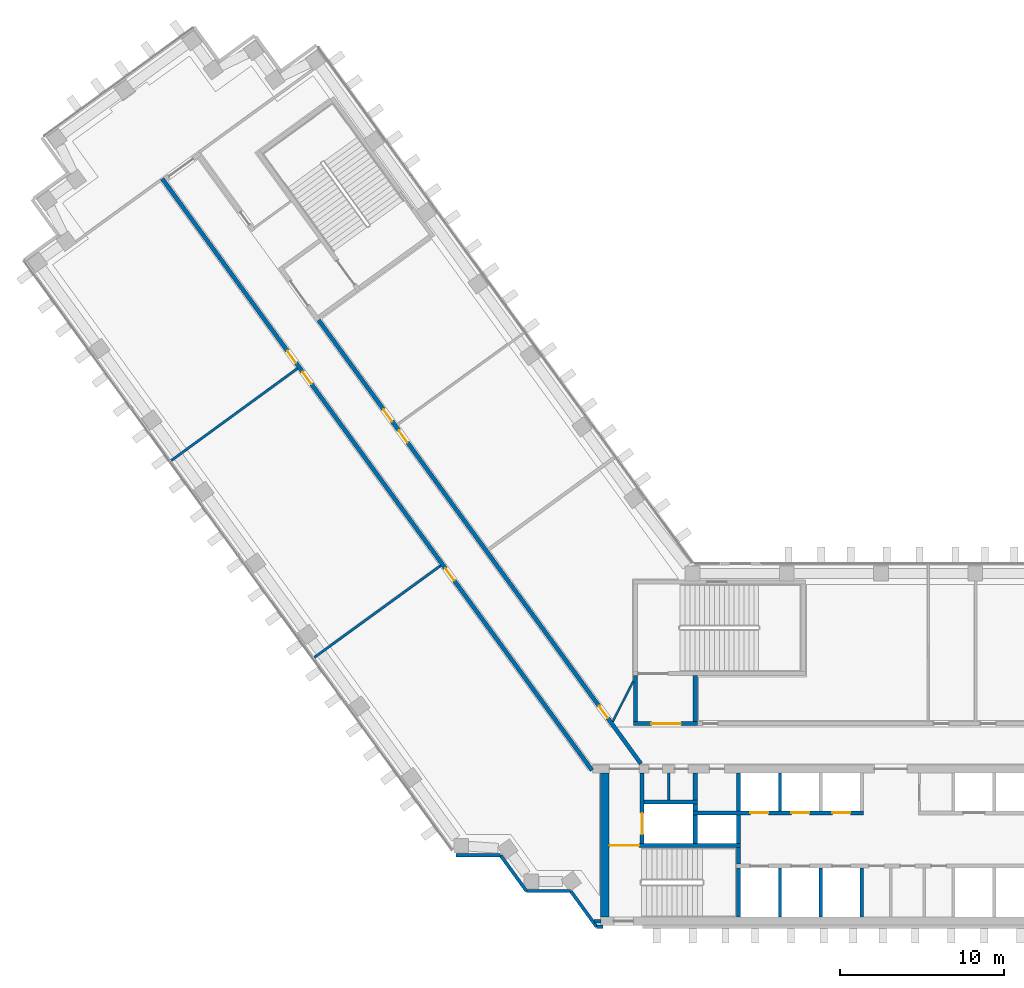
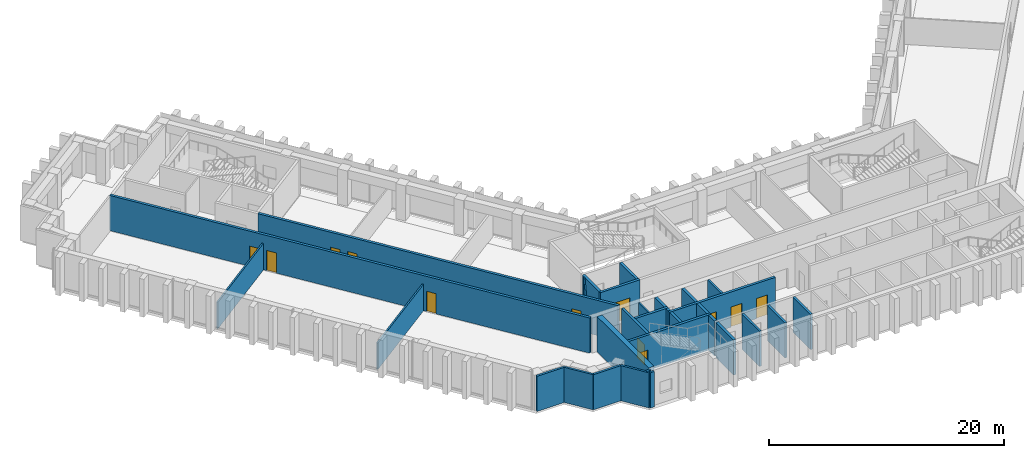
# One storey, part 7 of 15: 31 walls, 12 doors, 12 openings.
"""IFC4 building model written with IfcOpenShell, lengths in metres."""

from ifc_helpers import new_model, si_unit, direction, frame, frame_2d, origin, place, context, subcontext, project, spatial, rectangle, extrude, material, layer, layer_set, type_object, element, fill, save


model = new_model("IFC4")

# Units and contexts
model_context = context("Model", 3, precision=1e-05, world=origin(), true_north=direction((0.0, 1.0)))
body_context = subcontext(model_context, "Body", "Model", "MODEL_VIEW")
ifc_project = project(units=[si_unit("LENGTHUNIT", "METRE"), si_unit("AREAUNIT", "SQUARE_METRE"), si_unit("VOLUMEUNIT", "CUBIC_METRE"), si_unit("PLANEANGLEUNIT", "RADIAN"), si_unit("MASSUNIT", "GRAM", prefix="KILO")], contexts=[model_context])

# Site, building, storey
site_placement = place(None, origin())
site = spatial("IfcSite", under=ifc_project, at=site_placement, CompositionType="ELEMENT")
building_placement = place(site_placement, origin())
building = spatial("IfcBuilding", under=site, at=building_placement, Name="Quipu Civic Tower", CompositionType="ELEMENT")
storey_placement = place(building_placement, frame((0.0, 0.0, 31.0)))
storey = spatial("IfcBuildingStorey", under=building, at=storey_placement, Name="L06", CompositionType="ELEMENT", Elevation=31.0)

# Walls
ifc_material_1 = material(Name="Double gypsum plasterboard with mineral wool")
ifc_layer_1 = layer(ifc_material_1, 0.14990234375)
ifc_layer_set_1 = layer_set([ifc_layer_1], Name="Double gypsum plasterboard with mineral wool")
wall_type_1 = type_object("IfcWallType", Name="Acoustic partition 150 plasterboard", PredefinedType="PARTITIONING", material=ifc_layer_set_1)
wall_1_placement = place(storey_placement, frame((-46.234375, 17.394287109375, 0.0), z_axis=(0.0, 0.0, 1.0), x_axis=(0.807606997933, 0.589721067023, 0.0)))
element("IfcWall", 1, at=wall_1_placement, inside=storey, type_object=wall_type_1, Name="Partition P11", PredefinedType="PARTITIONING", context=body_context, shape_type="SweptSolid", body=[
    extrude(rectangle(XDim=9.550048828125, YDim=0.14990234375, at=frame_2d((4.77490234375, 0.0))), origin(), (0.0, 0.0, 1.0), 2.75),
])
wall_2_placement = place(storey_placement, frame((-29.769287109375, 10.979736328125, 0.0), z_axis=(0.0, 0.0, 1.0), x_axis=(-0.809048817734, -0.587741448702, 0.0)))
element("IfcWall", 2, at=wall_2_placement, inside=storey, type_object=wall_type_1, Name="Partition P12", PredefinedType="PARTITIONING", context=body_context, shape_type="SweptSolid", body=[
    extrude(rectangle(XDim=9.55029296875, YDim=0.14990234375, at=frame_2d((4.775146484375, 0.0))), origin(), (0.0, 0.0, 1.0), 2.75),
])
ifc_material_2 = material(Name="Concrete C70/85", Category="concrete")
ifc_layer_2 = layer(ifc_material_2, 0.25)
ifc_layer_set_2 = layer_set([ifc_layer_2], Name="Concrete C70/85")
wall_type_2 = type_object("IfcWallType", Name="Core wall 250", PredefinedType="SHEAR", material=ifc_layer_set_2)
wall_3_placement = place(storey_placement, frame((-11.574951171875, -10.5, 0.0), z_axis=(0.0, 0.0, 1.0), x_axis=(0.0, 1.0, 0.0)))
element("IfcWall", 3, at=wall_3_placement, inside=storey, type_object=wall_type_2, Name="Core wall", PredefinedType="SHEAR", context=body_context, shape_type="SweptSolid", body=[
    extrude(rectangle(XDim=3.0, YDim=0.25, at=frame_2d((1.5, 0.0))), origin(), (0.0, 0.0, 1.0), 3.64990234375),
])
wall_4_placement = place(storey_placement, frame((-11.574951171875, -7.25, 0.0), z_axis=(0.0, 0.0, 1.0), x_axis=(0.0, 1.0, 0.0)))
element("IfcWall", 4, at=wall_4_placement, inside=storey, type_object=wall_type_2, Name="Core wall", PredefinedType="SHEAR", context=body_context, shape_type="SweptSolid", body=[
    extrude(rectangle(XDim=1.0, YDim=0.25, at=frame_2d((0.5, 0.0))), origin(), (0.0, 0.0, 1.0), 3.64990234375),
])

# Wall, opening, door
wall_5_placement = place(storey_placement, frame((-11.449951171875, -6.125, 0.0), z_axis=(0.0, 0.0, 1.0), x_axis=(-1.0, 0.0, 0.0)))
wall_5 = element("IfcWall", 5, at=wall_5_placement, inside=storey, type_object=wall_type_2, Name="Core wall", PredefinedType="SHEAR", context=body_context, shape_type="SweptSolid", body=[
    extrude(rectangle(XDim=8.050048828125, YDim=0.25, at=frame_2d((4.02490234375, 0.0))), origin(), (0.0, 0.0, 1.0), 3.64990234375),
])
opening_1_placement = place(wall_5_placement, frame((6.199951171875, 0.0, 0.0)))
opening_1 = element("IfcOpeningElement", 6, at=opening_1_placement, cuts=wall_5, Name="Opening CD-04", PredefinedType="OPENING", context=body_context, shape_type="SweptSolid", body=[
    extrude(rectangle(XDim=1.800048828125, YDim=2.10009765625, at=frame_2d((0.89990234375, 1.050048828125))), frame((0.0, 0.135009765625, 0.0), z_axis=(0.0, -1.0, 0.0), x_axis=(1.0, 0.0, 0.0)), (0.0, 0.0, 1.0), 0.27001953125),
])
ifc_material_3 = material(Name="Fire rated steel door", Category="steel")
door_type_1 = type_object("IfcDoorType", Name="Fire door FD90 double 1800 x 2100", OperationType="NOTDEFINED", PredefinedType="DOOR", material=ifc_material_3)
door_1_placement = place(opening_1_placement, origin())
door_1 = element("IfcDoor", 7, at=door_1_placement, inside=storey, type_object=door_type_1, Name="Door", OperationType="DOUBLE_DOOR_SINGLE_SWING", OverallHeight=2.10009765625, OverallWidth=1.800048828125, PredefinedType="DOOR", context=body_context, shape_type="SweptSolid", body=[
    extrude(rectangle(XDim=1.800048828125, YDim=2.10009765625, at=frame_2d((0.89990234375, 1.050048828125))), frame((0.0, 0.02490234375, 0.0), z_axis=(0.0, -1.0, 0.0), x_axis=(1.0, 0.0, 0.0)), (0.0, 0.0, 1.0), 0.050048828125),
])
fill(opening_1, door_1)

wall_6_placement = place(storey_placement, frame((-17.47509765625, -6.0, 0.0), z_axis=(0.0, 0.0, 1.0), x_axis=(0.0, 1.0, 0.0)))
wall_6 = element("IfcWall", 8, at=wall_6_placement, inside=storey, type_object=wall_type_2, Name="Core wall", PredefinedType="SHEAR", context=body_context, shape_type="SweptSolid", body=[
    extrude(rectangle(XDim=4.300048828125, YDim=0.25, at=frame_2d((2.14990234375, 0.0))), origin(), (0.0, 0.0, 1.0), 3.64990234375),
])
opening_2_placement = place(wall_6_placement, frame((0.550048828125, 0.0, 0.0)))
opening_2 = element("IfcOpeningElement", 9, at=opening_2_placement, cuts=wall_6, Name="Opening LD-FF1", PredefinedType="OPENING", context=body_context, shape_type="SweptSolid", body=[
    extrude(rectangle(XDim=1.300048828125, YDim=2.10009765625, at=frame_2d((0.64990234375, 1.050048828125))), frame((0.0, 0.135009765625, 0.0), z_axis=(0.0, -1.0, 0.0), x_axis=(1.0, 0.0, 0.0)), (0.0, 0.0, 1.0), 0.27001953125),
])
ifc_material_4 = material(Name="Stainless steel", Category="steel")
door_type_2 = type_object("IfcDoorType", Name="Lift landing door 1300 x 2100", OperationType="DOUBLE_DOOR_SLIDING", PredefinedType="DOOR", material=ifc_material_4)
door_2_placement = place(opening_2_placement, origin())
door_2 = element("IfcDoor", 10, at=door_2_placement, inside=storey, type_object=door_type_2, Name="Landing door FF1", OperationType="DOUBLE_DOOR_SLIDING", OverallHeight=2.10009765625, OverallWidth=1.300048828125, PredefinedType="DOOR", context=body_context, shape_type="SweptSolid", body=[
    extrude(rectangle(XDim=1.300048828125, YDim=2.10009765625, at=frame_2d((0.64990234375, 1.050048828125))), frame((0.0, 0.02490234375, 0.0), z_axis=(0.0, -1.0, 0.0), x_axis=(1.0, 0.0, 0.0)), (0.0, 0.0, 1.0), 0.050048828125),
])
fill(opening_2, door_2)

# Walls
for number, where, z_axis, x_axis, name in (
    (11, (-14.22509765625, -6.0, 0.0), (0.0, 0.0, 1.0), (0.0, 1.0, 0.0), "Core wall"),
    (12, (-11.574951171875, -6.0, 0.0), (0.0, 0.0, 1.0), (0.0, 1.0, 0.0), "Core wall"),
):
    element("IfcWall", number, at=place(storey_placement, frame(where, z_axis=z_axis, x_axis=x_axis)), inside=storey, type_object=wall_type_2, Name=name, PredefinedType="SHEAR", context=body_context, shape_type="SweptSolid", body=[
        extrude(rectangle(XDim=1.75, YDim=0.25, at=frame_2d((0.875, 0.0))), origin(), (0.0, 0.0, 1.0), 3.64990234375),
    ])

# Wall, openings, doors
wall_7_placement = place(storey_placement, frame((-14.35009765625, -4.125, 0.0), z_axis=(0.0, 0.0, 1.0), x_axis=(1.0, 0.0, 0.0)))
wall_7 = element("IfcWall", 13, at=wall_7_placement, inside=storey, type_object=wall_type_2, Name="Core wall", PredefinedType="SHEAR", context=body_context, shape_type="SweptSolid", body=[
    extrude(rectangle(XDim=10.400146484375, YDim=0.25, at=frame_2d((5.2001953125, 0.0))), origin(), (0.0, 0.0, 1.0), 3.64990234375),
])
opening_3_placement = place(wall_7_placement, frame((3.5, 0.0, 0.0)))
opening_3 = element("IfcOpeningElement", 14, at=opening_3_placement, cuts=wall_7, Name="Opening LD-LL4", PredefinedType="OPENING", context=body_context, shape_type="SweptSolid", body=[
    extrude(rectangle(XDim=1.10009765625, YDim=2.10009765625, at=frame_2d((0.550048828125, 1.050048828125))), frame((0.0, 0.135009765625, 0.0), z_axis=(0.0, -1.0, 0.0), x_axis=(1.0, 0.0, 0.0)), (0.0, 0.0, 1.0), 0.27001953125),
])
opening_4_placement = place(wall_7_placement, frame((6.0, 0.0, 0.0)))
opening_4 = element("IfcOpeningElement", 15, at=opening_4_placement, cuts=wall_7, Name="Opening LD-LL5", PredefinedType="OPENING", context=body_context, shape_type="SweptSolid", body=[
    extrude(rectangle(XDim=1.10009765625, YDim=2.10009765625, at=frame_2d((0.550048828125, 1.050048828125))), frame((0.0, 0.135009765625, 0.0), z_axis=(0.0, -1.0, 0.0), x_axis=(1.0, 0.0, 0.0)), (0.0, 0.0, 1.0), 0.27001953125),
])
opening_5_placement = place(wall_7_placement, frame((8.5, 0.0, 0.0)))
opening_5 = element("IfcOpeningElement", 16, at=opening_5_placement, cuts=wall_7, Name="Opening LD-LL6", PredefinedType="OPENING", context=body_context, shape_type="SweptSolid", body=[
    extrude(rectangle(XDim=1.10009765625, YDim=2.10009765625, at=frame_2d((0.550048828125, 1.050048828125))), frame((0.0, 0.135009765625, 0.0), z_axis=(0.0, -1.0, 0.0), x_axis=(1.0, 0.0, 0.0)), (0.0, 0.0, 1.0), 0.27001953125),
])
ifc_material_5 = material(Name="Stainless steel", Category="steel")
door_type_3 = type_object("IfcDoorType", Name="Lift landing door 1100 x 2100", OperationType="DOUBLE_DOOR_SLIDING", PredefinedType="DOOR", material=ifc_material_5)
door_3_placement = place(opening_3_placement, origin())
door_3 = element("IfcDoor", 17, at=door_3_placement, inside=storey, type_object=door_type_3, Name="Landing door LL4", OperationType="DOUBLE_DOOR_SLIDING", OverallHeight=2.10009765625, OverallWidth=1.10009765625, PredefinedType="DOOR", context=body_context, shape_type="SweptSolid", body=[
    extrude(rectangle(XDim=1.10009765625, YDim=2.10009765625, at=frame_2d((0.550048828125, 1.050048828125))), frame((0.0, 0.02490234375, 0.0), z_axis=(0.0, -1.0, 0.0), x_axis=(1.0, 0.0, 0.0)), (0.0, 0.0, 1.0), 0.050048828125),
])
fill(opening_3, door_3)
door_4_placement = place(opening_4_placement, origin())
door_4 = element("IfcDoor", 18, at=door_4_placement, inside=storey, type_object=door_type_3, Name="Landing door LL5", OperationType="DOUBLE_DOOR_SLIDING", OverallHeight=2.10009765625, OverallWidth=1.10009765625, PredefinedType="DOOR", context=body_context, shape_type="SweptSolid", body=[
    extrude(rectangle(XDim=1.10009765625, YDim=2.10009765625, at=frame_2d((0.550048828125, 1.050048828125))), frame((0.0, 0.02490234375, 0.0), z_axis=(0.0, -1.0, 0.0), x_axis=(1.0, 0.0, 0.0)), (0.0, 0.0, 1.0), 0.050048828125),
])
fill(opening_4, door_4)
door_5_placement = place(opening_5_placement, origin())
door_5 = element("IfcDoor", 19, at=door_5_placement, inside=storey, type_object=door_type_3, Name="Landing door LL6", OperationType="DOUBLE_DOOR_SLIDING", OverallHeight=2.10009765625, OverallWidth=1.10009765625, PredefinedType="DOOR", context=body_context, shape_type="SweptSolid", body=[
    extrude(rectangle(XDim=1.10009765625, YDim=2.10009765625, at=frame_2d((0.550048828125, 1.050048828125))), frame((0.0, 0.02490234375, 0.0), z_axis=(0.0, -1.0, 0.0), x_axis=(1.0, 0.0, 0.0)), (0.0, 0.0, 1.0), 0.050048828125),
])
fill(opening_5, door_5)

# Walls
wall_8_placement = place(storey_placement, frame((-14.22509765625, -4.0, 0.0), z_axis=(0.0, 0.0, 1.0), x_axis=(0.0, 1.0, 0.0)))
element("IfcWall", 20, at=wall_8_placement, inside=storey, type_object=wall_type_2, Name="Core wall", PredefinedType="SHEAR", context=body_context, shape_type="SweptSolid", body=[
    extrude(rectangle(XDim=0.39990234375, YDim=0.25, at=frame_2d((0.199951171875, 0.0))), origin(), (0.0, 0.0, 1.0), 3.64990234375),
])
wall_9_placement = place(storey_placement, frame((-11.574951171875, -4.0, 0.0), z_axis=(0.0, 0.0, 1.0), x_axis=(0.0, 1.0, 0.0)))
element("IfcWall", 21, at=wall_9_placement, inside=storey, type_object=wall_type_2, Name="Core wall", PredefinedType="SHEAR", context=body_context, shape_type="SweptSolid", body=[
    extrude(rectangle(XDim=2.300048828125, YDim=0.25, at=frame_2d((1.14990234375, 0.0))), origin(), (0.0, 0.0, 1.0), 3.64990234375),
])
wall_10_placement = place(storey_placement, frame((-17.35009765625, -3.47509765625, 0.0), z_axis=(0.0, 0.0, 1.0), x_axis=(1.0, 0.0, 0.0)))
element("IfcWall", 22, at=wall_10_placement, inside=storey, type_object=wall_type_2, Name="Core wall", PredefinedType="SHEAR", context=body_context, shape_type="SweptSolid", body=[
    extrude(rectangle(XDim=3.25, YDim=0.25, at=frame_2d((1.625, 0.0))), origin(), (0.0, 0.0, 1.0), 3.64990234375),
])
wall_11_placement = place(storey_placement, frame((-14.22509765625, -3.35009765625, 0.0), z_axis=(0.0, 0.0, 1.0), x_axis=(0.0, 1.0, 0.0)))
element("IfcWall", 23, at=wall_11_placement, inside=storey, type_object=wall_type_2, Name="Core wall", PredefinedType="SHEAR", context=body_context, shape_type="SweptSolid", body=[
    extrude(rectangle(XDim=1.650146484375, YDim=0.25, at=frame_2d((0.8251953125, 0.0))), origin(), (0.0, 0.0, 1.0), 3.64990234375),
])

# Wall, opening, door
wall_12_placement = place(storey_placement, frame((-18.0, 1.324951171875, 0.0), z_axis=(0.0, 0.0, 1.0), x_axis=(1.0, 0.0, 0.0)))
wall_12 = element("IfcWall", 24, at=wall_12_placement, inside=storey, type_object=wall_type_2, Name="Core wall", PredefinedType="SHEAR", context=body_context, shape_type="SweptSolid", body=[
    extrude(rectangle(XDim=3.89990234375, YDim=0.25, at=frame_2d((1.949951171875, 0.0))), origin(), (0.0, 0.0, 1.0), 3.64990234375),
])
opening_6_placement = place(wall_12_placement, frame((1.10009765625, 0.0, 0.0)))
opening_6 = element("IfcOpeningElement", 25, at=opening_6_placement, cuts=wall_12, Name="Opening CD-15", PredefinedType="OPENING", context=body_context, shape_type="SweptSolid", body=[
    extrude(rectangle(XDim=1.800048828125, YDim=2.10009765625, at=frame_2d((0.89990234375, 1.050048828125))), frame((0.0, 0.135009765625, 0.0), z_axis=(0.0, -1.0, 0.0), x_axis=(1.0, 0.0, 0.0)), (0.0, 0.0, 1.0), 0.27001953125),
])
door_6_placement = place(opening_6_placement, origin())
door_6 = element("IfcDoor", 26, at=door_6_placement, inside=storey, type_object=door_type_1, Name="Lobby door", OperationType="DOUBLE_DOOR_SINGLE_SWING", OverallHeight=2.10009765625, OverallWidth=1.800048828125, PredefinedType="DOOR", context=body_context, shape_type="SweptSolid", body=[
    extrude(rectangle(XDim=1.800048828125, YDim=2.10009765625, at=frame_2d((0.89990234375, 1.050048828125))), frame((0.0, 0.02490234375, 0.0), z_axis=(0.0, -1.0, 0.0), x_axis=(1.0, 0.0, 0.0)), (0.0, 0.0, 1.0), 0.050048828125),
])
fill(opening_6, door_6)

# Walls
for number, where, z_axis, x_axis, name in (
    (27, (-17.875, 1.449951171875, 0.0), (0.0, 0.0, 1.0), (0.0, 1.0, 0.0), "Core wall"),
    (28, (-14.22509765625, 1.449951171875, 0.0), (0.0, 0.0, 1.0), (0.0, 1.0, 0.0), "Core wall"),
):
    element("IfcWall", number, at=place(storey_placement, frame(where, z_axis=z_axis, x_axis=x_axis)), inside=storey, type_object=wall_type_2, Name=name, PredefinedType="SHEAR", context=body_context, shape_type="SweptSolid", body=[
        extrude(rectangle(XDim=2.800048828125, YDim=0.25, at=frame_2d((1.39990234375, 0.0))), origin(), (0.0, 0.0, 1.0), 3.64990234375),
    ])
ifc_material_6 = material(Name="Concrete C70/85", Category="concrete")
ifc_layer_3 = layer(ifc_material_6, 0.5)
ifc_layer_set_3 = layer_set([ifc_layer_3], Name="Concrete C70/85")
wall_type_3 = type_object("IfcWallType", Name="Core wall 500", PredefinedType="SHEAR", material=ifc_layer_set_3)
wall_13_placement = place(storey_placement, frame((-19.75, -10.5, 0.0), z_axis=(0.0, 0.0, 1.0), x_axis=(0.0, 1.0, 0.0)))
element("IfcWall", 29, at=wall_13_placement, inside=storey, type_object=wall_type_3, Name="Core wall", PredefinedType="SHEAR", context=body_context, shape_type="SweptSolid", body=[
    extrude(rectangle(XDim=8.800048828125, YDim=0.5, at=frame_2d((4.39990234375, 0.0))), origin(), (0.0, 0.0, 1.0), 3.64990234375),
])

# Wall, openings, doors
ifc_material_7 = material(Name="Concrete C50/60", Category="concrete")
ifc_layer_4 = layer(ifc_material_7, 0.25)
ifc_layer_set_4 = layer_set([ifc_layer_4], Name="Concrete C50/60")
wall_type_4 = type_object("IfcWallType", Name="Corridor wall 250 concrete", PredefinedType="SOLIDWALL", material=ifc_layer_set_4)
wall_14_placement = place(storey_placement, frame((-20.531005859375, -1.5234375, 0.0), z_axis=(0.0, 0.0, 1.0), x_axis=(-0.587784593204, 0.809017473231, 0.0)))
wall_14 = element("IfcWall", 30, at=wall_14_placement, inside=storey, type_object=wall_type_4, Name="Corridor wall C01", PredefinedType="SOLIDWALL", context=body_context, shape_type="SweptSolid", body=[
    extrude(rectangle(XDim=44.67041015625, YDim=0.25, at=frame_2d((22.335205078125, 0.0))), origin(), (0.0, 0.0, 1.0), 3.64990234375),
])
opening_7_placement = place(wall_14_placement, frame((30.765380859375, 0.0, 0.0)))
opening_7 = element("IfcOpeningElement", 31, at=opening_7_placement, cuts=wall_14, Name="Opening D017", PredefinedType="OPENING", context=body_context, shape_type="SweptSolid", body=[
    extrude(rectangle(XDim=0.89990234375, YDim=2.10009765625, at=frame_2d((0.449951171875, 1.050048828125))), frame((0.0, 0.135009765625, 0.0), z_axis=(0.0, -1.0, 0.0), x_axis=(1.0, 0.0, 0.0)), (0.0, 0.0, 1.0), 0.27001953125),
])
opening_8_placement = place(wall_14_placement, frame((14.31591796875, 0.0, 0.0)))
opening_8 = element("IfcOpeningElement", 32, at=opening_8_placement, cuts=wall_14, Name="Opening D019", PredefinedType="OPENING", context=body_context, shape_type="SweptSolid", body=[
    extrude(rectangle(XDim=0.89990234375, YDim=2.10009765625, at=frame_2d((0.449951171875, 1.050048828125))), frame((0.0, 0.135009765625, 0.0), z_axis=(0.0, -1.0, 0.0), x_axis=(1.0, 0.0, 0.0)), (0.0, 0.0, 1.0), 0.27001953125),
])
opening_9_placement = place(wall_14_placement, frame((29.166015625, 0.0, 0.0)))
opening_9 = element("IfcOpeningElement", 33, at=opening_9_placement, cuts=wall_14, Name="Opening D018", PredefinedType="OPENING", context=body_context, shape_type="SweptSolid", body=[
    extrude(rectangle(XDim=0.89990234375, YDim=2.10009765625, at=frame_2d((0.449951171875, 1.050048828125))), frame((0.0, 0.135009765625, 0.0), z_axis=(0.0, -1.0, 0.0), x_axis=(1.0, 0.0, 0.0)), (0.0, 0.0, 1.0), 0.27001953125),
])
ifc_material_8 = material(Name="Fire rated timber door set with metal frame", Category="wood")
door_type_4 = type_object("IfcDoorType", Name="Single door 900 x 2100 FD60", OperationType="NOTDEFINED", PredefinedType="DOOR", material=ifc_material_8)
door_7_placement = place(opening_7_placement, origin())
door_7 = element("IfcDoor", 34, at=door_7_placement, inside=storey, type_object=door_type_4, Name="Door D017", OperationType="SINGLE_SWING_LEFT", OverallHeight=2.10009765625, OverallWidth=0.89990234375, PredefinedType="DOOR", context=body_context, shape_type="SweptSolid", body=[
    extrude(rectangle(XDim=0.89990234375, YDim=2.10009765625, at=frame_2d((0.449951171875, 1.050048828125))), frame((0.0, 0.02490234375, 0.0), z_axis=(0.0, -1.0, 0.0), x_axis=(1.0, 0.0, 0.0)), (0.0, 0.0, 1.0), 0.050048828125),
])
fill(opening_7, door_7)
door_8_placement = place(opening_8_placement, origin())
door_8 = element("IfcDoor", 35, at=door_8_placement, inside=storey, type_object=door_type_4, Name="Door D019", OperationType="SINGLE_SWING_RIGHT", OverallHeight=2.10009765625, OverallWidth=0.89990234375, PredefinedType="DOOR", context=body_context, shape_type="SweptSolid", body=[
    extrude(rectangle(XDim=0.89990234375, YDim=2.10009765625, at=frame_2d((0.449951171875, 1.050048828125))), frame((0.0, 0.02490234375, 0.0), z_axis=(0.0, -1.0, 0.0), x_axis=(1.0, 0.0, 0.0)), (0.0, 0.0, 1.0), 0.050048828125),
])
fill(opening_8, door_8)
door_9_placement = place(opening_9_placement, origin())
door_9 = element("IfcDoor", 36, at=door_9_placement, inside=storey, type_object=door_type_4, Name="Door D018", OperationType="SINGLE_SWING_RIGHT", OverallHeight=2.10009765625, OverallWidth=0.89990234375, PredefinedType="DOOR", context=body_context, shape_type="SweptSolid", body=[
    extrude(rectangle(XDim=0.89990234375, YDim=2.10009765625, at=frame_2d((0.449951171875, 1.050048828125))), frame((0.0, 0.02490234375, 0.0), z_axis=(0.0, -1.0, 0.0), x_axis=(1.0, 0.0, 0.0)), (0.0, 0.0, 1.0), 0.050048828125),
])
fill(opening_9, door_9)

wall_15_placement = place(storey_placement, frame((-37.231689453125, 25.9716796875, 0.0), z_axis=(0.0, 0.0, 1.0), x_axis=(0.587786323093, -0.809016216391, 0.0)))
wall_15 = element("IfcWall", 37, at=wall_15_placement, inside=storey, type_object=wall_type_4, Name="Corridor wall C04", PredefinedType="SOLIDWALL", context=body_context, shape_type="SweptSolid", body=[
    extrude(rectangle(XDim=33.4931640625, YDim=0.25, at=frame_2d((16.74658203125, 0.0))), origin(), (0.0, 0.0, 1.0), 3.64990234375),
])
opening_10_placement = place(wall_15_placement, frame((8.334716796875, 0.0, 0.0)))
opening_10 = element("IfcOpeningElement", 38, at=opening_10_placement, cuts=wall_15, Name="Opening D015", PredefinedType="OPENING", context=body_context, shape_type="SweptSolid", body=[
    extrude(rectangle(XDim=0.89990234375, YDim=2.10009765625, at=frame_2d((0.449951171875, 1.050048828125))), frame((0.0, 0.135009765625, 0.0), z_axis=(0.0, -1.0, 0.0), x_axis=(1.0, 0.0, 0.0)), (0.0, 0.0, 1.0), 0.27001953125),
])
opening_11_placement = place(wall_15_placement, frame((29.151611328125, 0.0, 0.0)))
opening_11 = element("IfcOpeningElement", 39, at=opening_11_placement, cuts=wall_15, Name="Opening D016", PredefinedType="OPENING", context=body_context, shape_type="SweptSolid", body=[
    extrude(rectangle(XDim=0.89990234375, YDim=2.10009765625, at=frame_2d((0.449951171875, 1.050048828125))), frame((0.0, 0.135009765625, 0.0), z_axis=(0.0, -1.0, 0.0), x_axis=(1.0, 0.0, 0.0)), (0.0, 0.0, 1.0), 0.27001953125),
])
opening_12_placement = place(wall_15_placement, frame((6.7353515625, 0.0, 0.0)))
opening_12 = element("IfcOpeningElement", 40, at=opening_12_placement, cuts=wall_15, Name="Opening D014", PredefinedType="OPENING", context=body_context, shape_type="SweptSolid", body=[
    extrude(rectangle(XDim=0.89990234375, YDim=2.10009765625, at=frame_2d((0.449951171875, 1.050048828125))), frame((0.0, 0.135009765625, 0.0), z_axis=(0.0, -1.0, 0.0), x_axis=(1.0, 0.0, 0.0)), (0.0, 0.0, 1.0), 0.27001953125),
])
door_10_placement = place(opening_10_placement, origin())
door_10 = element("IfcDoor", 41, at=door_10_placement, inside=storey, type_object=door_type_4, Name="Door D015", OperationType="SINGLE_SWING_LEFT", OverallHeight=2.10009765625, OverallWidth=0.89990234375, PredefinedType="DOOR", context=body_context, shape_type="SweptSolid", body=[
    extrude(rectangle(XDim=0.89990234375, YDim=2.10009765625, at=frame_2d((0.449951171875, 1.050048828125))), frame((0.0, 0.02490234375, 0.0), z_axis=(0.0, -1.0, 0.0), x_axis=(1.0, 0.0, 0.0)), (0.0, 0.0, 1.0), 0.050048828125),
])
fill(opening_10, door_10)
door_11_placement = place(opening_11_placement, origin())
door_11 = element("IfcDoor", 42, at=door_11_placement, inside=storey, type_object=door_type_4, Name="Door D016", OperationType="SINGLE_SWING_RIGHT", OverallHeight=2.10009765625, OverallWidth=0.89990234375, PredefinedType="DOOR", context=body_context, shape_type="SweptSolid", body=[
    extrude(rectangle(XDim=0.89990234375, YDim=2.10009765625, at=frame_2d((0.449951171875, 1.050048828125))), frame((0.0, 0.02490234375, 0.0), z_axis=(0.0, -1.0, 0.0), x_axis=(1.0, 0.0, 0.0)), (0.0, 0.0, 1.0), 0.050048828125),
])
fill(opening_11, door_11)
door_12_placement = place(opening_12_placement, origin())
door_12 = element("IfcDoor", 43, at=door_12_placement, inside=storey, type_object=door_type_4, Name="Door D014", OperationType="SINGLE_SWING_RIGHT", OverallHeight=2.10009765625, OverallWidth=0.89990234375, PredefinedType="DOOR", context=body_context, shape_type="SweptSolid", body=[
    extrude(rectangle(XDim=0.89990234375, YDim=2.10009765625, at=frame_2d((0.449951171875, 1.050048828125))), frame((0.0, 0.02490234375, 0.0), z_axis=(0.0, -1.0, 0.0), x_axis=(1.0, 0.0, 0.0)), (0.0, 0.0, 1.0), 0.050048828125),
])
fill(opening_12, door_12)

# Walls
ifc_material_9 = material(Name="Gypsum plasterboard on light gauge framing")
ifc_layer_5 = layer(ifc_material_9, 0.1201171875)
ifc_layer_set_5 = layer_set([ifc_layer_5], Name="Gypsum plasterboard on light gauge framing")
wall_type_5 = type_object("IfcWallType", Name="Partition 120 plasterboard", PredefinedType="PARTITIONING", material=ifc_layer_set_5)
wall_16_placement = place(storey_placement, frame((-19.260986328125, 1.449951171875, 0.0), z_axis=(0.0, 0.0, 1.0), x_axis=(0.453950796792, 0.891026752736, 0.0)))
element("IfcWall", 44, at=wall_16_placement, inside=storey, type_object=wall_type_5, Name="Partition P18", PredefinedType="PARTITIONING", context=body_context, shape_type="SweptSolid", body=[
    extrude(rectangle(XDim=2.77783203125, YDim=0.1201171875, at=frame_2d((1.388916015625, 0.0))), origin(), (0.0, 0.0, 1.0), 3.64990234375),
])
ifc_material_10 = material(Name="Gypsum board partition")
ifc_layer_6 = layer(ifc_material_10, 0.14990234375)
ifc_layer_set_6 = layer_set([ifc_layer_6], Name="Gypsum board partition")
wall_type_6 = type_object("IfcWallType", Name="Partition 150", PredefinedType="PARTITIONING", material=ifc_layer_set_6)
wall_17_placement = place(storey_placement, frame((-15.85009765625, -3.35009765625, 0.0), z_axis=(0.0, 0.0, 1.0), x_axis=(0.0, 1.0, 0.0)))
element("IfcWall", 45, at=wall_17_placement, inside=storey, type_object=wall_type_6, Name="Partition", PredefinedType="PARTITIONING", context=body_context, shape_type="SweptSolid", body=[
    extrude(rectangle(XDim=1.650146484375, YDim=0.14990234375, at=frame_2d((0.8251953125, 0.0))), origin(), (0.0, 0.0, 1.0), 3.64990234375),
])
ifc_material_11 = material(Name="Precast concrete C40/50", Category="concrete")
wall_type_7 = type_object("IfcWallType", Name="Precast cladding wall", PredefinedType="SOLIDWALL", material=ifc_material_11)
wall_18_placement = place(storey_placement, frame((-28.829833984375, -6.71923828125, 0.0), z_axis=(0.0, 0.0, 1.0), x_axis=(1.0, 0.0, 0.0)))
element("IfcWall", 46, at=wall_18_placement, inside=storey, type_object=wall_type_7, Name="Precast cladding wall L06 5", PredefinedType="SOLIDWALL", context=body_context, shape_type="SweptSolid", body=[
    extrude(rectangle(XDim=2.699951171875, YDim=0.199951171875, at=frame_2d((1.35009765625, 0.0))), origin(), (0.0, 0.0, 1.0), 3.64990234375),
])
wall_19_placement = place(storey_placement, frame((-26.1201171875, -6.72412109375, 0.0), z_axis=(0.0, 0.0, 1.0), x_axis=(0.587720002413, -0.809064397168, 0.0)))
element("IfcWall", 47, at=wall_19_placement, inside=storey, type_object=wall_type_7, Name="Precast cladding wall L06 6", PredefinedType="SOLIDWALL", context=body_context, shape_type="SweptSolid", body=[
    extrude(rectangle(XDim=2.7001953125, YDim=0.199951171875, at=frame_2d((1.35009765625, 0.0))), origin(), (0.0, 0.0, 1.0), 3.64990234375),
])
wall_20_placement = place(storey_placement, frame((-24.542724609375, -8.90380859375, 0.0), z_axis=(0.0, 0.0, 1.0), x_axis=(1.0, 0.0, 0.0)))
element("IfcWall", 48, at=wall_20_placement, inside=storey, type_object=wall_type_7, Name="Precast cladding wall L06 7", PredefinedType="SOLIDWALL", context=body_context, shape_type="SweptSolid", body=[
    extrude(rectangle(XDim=2.699951171875, YDim=0.199951171875, at=frame_2d((1.35009765625, 0.0))), origin(), (0.0, 0.0, 1.0), 3.64990234375),
])
wall_21_placement = place(storey_placement, frame((-21.8330078125, -8.90869140625, 0.0), z_axis=(0.0, 0.0, 1.0), x_axis=(0.587766567315, -0.809030569476, 0.0)))
element("IfcWall", 49, at=wall_21_placement, inside=storey, type_object=wall_type_7, Name="Precast cladding wall L06 8", PredefinedType="SOLIDWALL", context=body_context, shape_type="SweptSolid", body=[
    extrude(rectangle(XDim=2.687744140625, YDim=0.199951171875, at=frame_2d((1.34375, 0.0))), origin(), (0.0, 0.0, 1.0), 3.64990234375),
])
wall_22_placement = place(storey_placement, frame((-20.255859375, -11.087890625, 0.0), z_axis=(0.0, 0.0, 1.0), x_axis=(1.0, 0.0, 0.0)))
element("IfcWall", 50, at=wall_22_placement, inside=storey, type_object=wall_type_7, Name="Precast cladding wall L06 9", PredefinedType="SOLIDWALL", context=body_context, shape_type="SweptSolid", body=[
    extrude(rectangle(XDim=0.40576171875, YDim=0.199951171875, at=frame_2d((0.202880859375, 0.0))), origin(), (0.0, 0.0, 1.0), 3.64990234375),
])
wall_23_placement = place(storey_placement, frame((-19.97998046875, -10.75, 0.0), z_axis=(0.0, 0.0, 1.0), x_axis=(-1.0, 0.0, 0.0)))
element("IfcWall", 51, at=wall_23_placement, inside=storey, type_object=wall_type_7, Name="Precast cladding return L06 W", PredefinedType="SOLIDWALL", context=body_context, shape_type="SweptSolid", body=[
    extrude(rectangle(XDim=0.41650390625, YDim=0.199951171875, at=frame_2d((0.208251953125, 0.0))), origin(), (0.0, 0.0, 1.0), 3.64990234375),
])
ifc_material_12 = material(Name="Concrete C40/50", Category="concrete")
ifc_layer_7 = layer(ifc_material_12, 0.199951171875)
ifc_layer_set_7 = layer_set([ifc_layer_7], Name="Concrete C40/50")
wall_type_8 = type_object("IfcWallType", Name="Shaft wall 200", PredefinedType="SOLIDWALL", material=ifc_layer_set_7)
for number, where, z_axis, x_axis, name in (
    (52, (-9.050048828125, -10.5, 0.0), (0.0, 0.0, 1.0), (0.0, 1.0, 0.0), "Shaft wall"),
    (53, (-6.550048828125, -10.5, 0.0), (0.0, 0.0, 1.0), (0.0, 1.0, 0.0), "Shaft wall"),
    (54, (-4.050048828125, -10.5, 0.0), (0.0, 0.0, 1.0), (0.0, 1.0, 0.0), "Shaft wall"),
):
    element("IfcWall", number, at=place(storey_placement, frame(where, z_axis=z_axis, x_axis=x_axis)), inside=storey, type_object=wall_type_8, Name=name, PredefinedType="SOLIDWALL", context=body_context, shape_type="SweptSolid", body=[
        extrude(rectangle(XDim=3.0, YDim=0.199951171875, at=frame_2d((1.5, 0.0))), origin(), (0.0, 0.0, 1.0), 3.64990234375),
    ])
wall_24_placement = place(storey_placement, frame((-9.050048828125, -4.0, 0.0), z_axis=(0.0, 0.0, 1.0), x_axis=(0.0, 1.0, 0.0)))
element("IfcWall", 55, at=wall_24_placement, inside=storey, type_object=wall_type_8, Name="Shaft wall", PredefinedType="SOLIDWALL", context=body_context, shape_type="SweptSolid", body=[
    extrude(rectangle(XDim=2.300048828125, YDim=0.199951171875, at=frame_2d((1.14990234375, 0.0))), origin(), (0.0, 0.0, 1.0), 3.64990234375),
])

save(model, "model.ifc")
